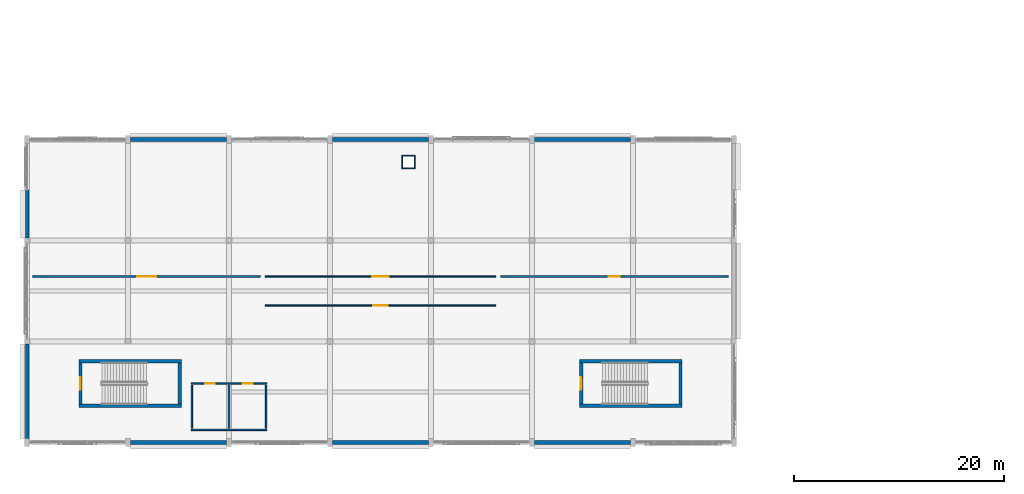
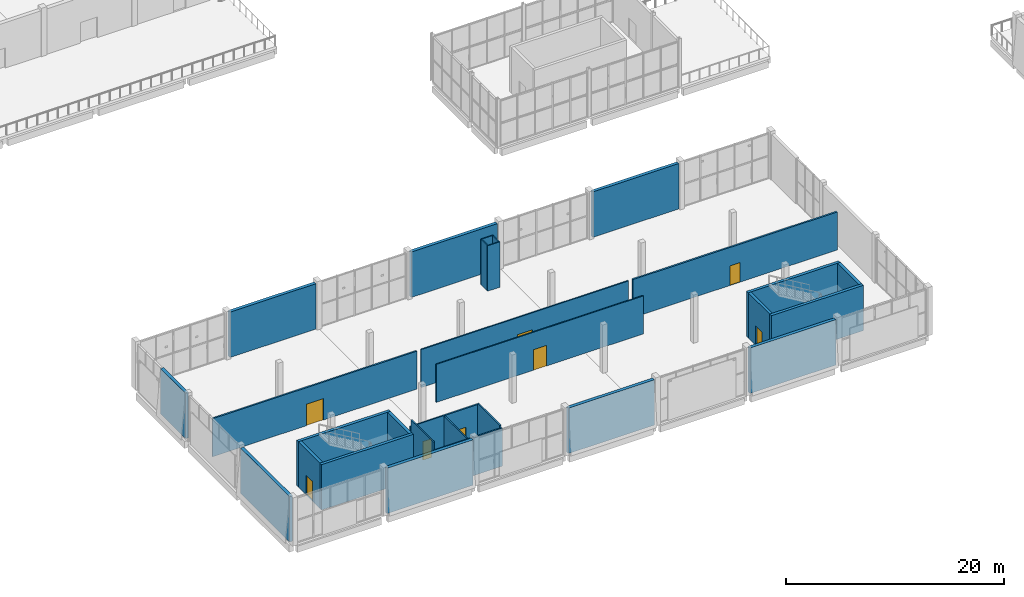
# One storey, part 53 of 83: 29 walls, 8 doors, 8 openings.
"""IFC4 building model written with IfcOpenShell, lengths in metres."""

import ifcopenshell
import ifcopenshell.guid

model = None  # the IFC model being written
_history = None  # IfcOwnerHistory: only IFC2X3 demands one
_inside = {}  # id of a spatial element -> (the spatial element, [elements in it])
_under = {}  # id of a project, library or spatial element -> (it, [spatial elements below it])
_declared = {}  # id of a project -> (the project, [libraries it declares])
_typed = {}  # id of a type object -> (the type object, [elements of that type])
_made_of = {}  # id of a material, layer set ... -> (it, [elements and type objects made of it])


def new_model(schema):
    """Start an empty IFC model of exactly this schema.

    Asked for "IFC4X3", IfcOpenShell would pick the latest addendum, in which some entities
    have other attributes; the version numbers below select the first issue.
    IFC2X3 requires an IfcOwnerHistory on every rooted entity: one is made here for all.
    """
    global model, _history
    if schema == "IFC4X3":
        model = ifcopenshell.file(schema_version=(4, 3, 0, 0))
    else:
        model = ifcopenshell.file(schema=schema)
    _inside.clear()
    _under.clear()
    _declared.clear()
    _typed.clear()
    _made_of.clear()
    _history = None
    if model.schema == "IFC2X3":
        org = make("IfcOrganization", Name="unknown")
        user = make(
            "IfcPersonAndOrganization",
            ThePerson=make("IfcPerson", FamilyName="unknown"),
            TheOrganization=org,
        )
        app = make(
            "IfcApplication",
            ApplicationDeveloper=org,
            Version="unknown",
            ApplicationFullName="unknown",
            ApplicationIdentifier="unknown",
        )
        _history = make(
            "IfcOwnerHistory",
            OwningUser=user,
            OwningApplication=app,
            ChangeAction="ADDED",
            CreationDate=0,
        )
    return model


def make(cls, **values):
    """One entity of the class cls with the attributes given. An attribute that is None is left unset."""
    return model.create_entity(
        cls, **{name: value for name, value in values.items() if value is not None}
    )


def rooted(cls, **values):
    """An entity with a GlobalId (a new one), such as an element, a storey or a relation."""
    return make(cls, GlobalId=ifcopenshell.guid.new(), OwnerHistory=_history, **values)


def si_unit(unit_type, name, prefix=None):
    """IfcSIUnit, for example si_unit("LENGTHUNIT", "METRE", prefix="MILLI")."""
    return make("IfcSIUnit", UnitType=unit_type, Prefix=prefix, Name=name)


def assignment(units):
    """IfcUnitAssignment: the units of a project."""
    return None if units is None else make("IfcUnitAssignment", Units=units)


def point(xyz):
    """IfcCartesianPoint."""
    return None if xyz is None else make("IfcCartesianPoint", Coordinates=xyz)


def direction(xyz):
    """IfcDirection."""
    return None if xyz is None else make("IfcDirection", DirectionRatios=xyz)


def frame(location, z_axis=None, x_axis=None):
    """IfcAxis2Placement3D, a coordinate frame: its origin and axes. An axis left out is left unset."""
    return make(
        "IfcAxis2Placement3D",
        Location=point(location),
        Axis=direction(z_axis),
        RefDirection=direction(x_axis),
    )


def frame_2d(location, x_axis=None):
    """IfcAxis2Placement2D, a coordinate frame in the plane: its origin and x axis."""
    return make(
        "IfcAxis2Placement2D", Location=point(location), RefDirection=direction(x_axis)
    )


def origin():
    """The frame at (0, 0, 0) with its axes left unset."""
    return frame((0.0, 0.0, 0.0))


def place(relative_to, where):
    """IfcLocalPlacement: puts the frame where relative to a parent placement (None: the world)."""
    return make(
        "IfcLocalPlacement", PlacementRelTo=relative_to, RelativePlacement=where
    )


def context(
    kind, dimensions, precision=None, world=None, true_north=None, identifier=None
):
    """IfcGeometricRepresentationContext, for example the 3D "Model" context."""
    return make(
        "IfcGeometricRepresentationContext",
        ContextIdentifier=identifier,
        ContextType=kind,
        CoordinateSpaceDimension=dimensions,
        Precision=precision,
        WorldCoordinateSystem=world,
        TrueNorth=true_north,
    )


def subcontext(parent, identifier, kind, view, scale=None):
    """IfcGeometricRepresentationSubContext, for example "Body" below "Model"."""
    return make(
        "IfcGeometricRepresentationSubContext",
        ContextIdentifier=identifier,
        ContextType=kind,
        ParentContext=parent,
        TargetScale=scale,
        TargetView=view,
    )


def project(units=None, contexts=None):
    """IfcProject with its units and contexts."""
    return rooted(
        "IfcProject",
        Name="project",
        RepresentationContexts=contexts,
        UnitsInContext=assignment(units),
    )


def spatial(cls, under=None, at=None, **own):
    """A site, building, storey or space (cls), placed at a placement, below another one or the project."""
    s = rooted(cls, ObjectPlacement=at, **own)
    if under is not None:
        _under.setdefault(under.id(), (under, []))[1].append(s)
    return s


def profile(cls, at=None, kind="AREA", **sizes):
    """A parametric profile (cls). Its sizes go by their IFC names, for example OverallWidth=200.0."""
    return make(cls, ProfileType=kind, Position=at, **sizes)


def rectangle(**sizes):
    """IfcRectangleProfileDef."""
    return profile("IfcRectangleProfileDef", **sizes)


def extrude(swept, where, along, depth):
    """IfcExtrudedAreaSolid: the profile swept, set in the frame where, extruded along a direction by depth."""
    return make(
        "IfcExtrudedAreaSolid",
        SweptArea=swept,
        Position=where,
        ExtrudedDirection=direction(along),
        Depth=depth,
    )


def shape(context_of_items, identifier, shape_type, items):
    """IfcShapeRepresentation: the items that make up one representation, for example the "Body"."""
    return make(
        "IfcShapeRepresentation",
        ContextOfItems=context_of_items,
        RepresentationIdentifier=identifier,
        RepresentationType=shape_type,
        Items=items,
    )


def material(Name=None, Category=None):
    """IfcMaterial."""
    return make("IfcMaterial", Name=Name, Category=Category)


def layer(
    of_material, thickness, ventilated=None, Name=None, Category=None, Priority=None
):
    """IfcMaterialLayer: one layer of a wall or slab, of a material (None: an air gap)."""
    return make(
        "IfcMaterialLayer",
        Material=of_material,
        LayerThickness=thickness,
        IsVentilated=ventilated,
        Name=Name,
        Category=Category,
        Priority=Priority,
    )


def layer_set(layers, Name=None):
    """IfcMaterialLayerSet."""
    return make("IfcMaterialLayerSet", MaterialLayers=layers, LayerSetName=Name)


def made_of(thing, what):
    """Note that an element or type object is made of a material, layer set ...; save() writes the relation."""
    if what is not None:
        _made_of.setdefault(what.id(), (what, []))[1].append(thing)
    return thing


def type_object(cls, material=None, **own):
    """A type object (cls), such as IfcWallType, which elements share."""
    return made_of(rooted(cls, **own), material)


def element(
    cls,
    number,
    at=None,
    inside=None,
    cuts=None,
    type_object=None,
    material=None,
    context=None,
    identifier="Body",
    shape_type=None,
    held_by="IfcProductDefinitionShape",
    body=None,
    shapes=None,
    **own,
):
    """One element of the class cls, such as IfcWall. Its Tag is "e" and its number.

    at: its placement. inside: the storey or other place that contains it. cuts: it is an
    opening in that element (IfcRelVoidsElement). A single representation is given by context,
    identifier, shape_type and body (its items); several are given by shapes. held_by: the class
    of the entity that holds the representations. save() writes the other relations.
    """
    e = rooted(cls, Tag="e%d" % number, ObjectPlacement=at, **own)
    if body is not None:
        shapes = [shape(context, identifier, shape_type, body)]
    if shapes is not None:
        e.Representation = make(held_by, Representations=shapes)
    if inside is not None:
        _inside.setdefault(inside.id(), (inside, []))[1].append(e)
    if cuts is not None:
        rooted(
            "IfcRelVoidsElement", RelatingBuildingElement=cuts, RelatedOpeningElement=e
        )
    if type_object is not None:
        _typed.setdefault(type_object.id(), (type_object, []))[1].append(e)
    return made_of(e, material)


def fill(opening, filler):
    """IfcRelFillsElement: the door or window that sits in an opening."""
    return rooted(
        "IfcRelFillsElement",
        RelatingOpeningElement=opening,
        RelatedBuildingElement=filler,
    )


def aggregate(whole, parts):
    """IfcRelAggregates: a whole, such as a stair, and the parts it consists of."""
    return rooted("IfcRelAggregates", RelatingObject=whole, RelatedObjects=parts)


def save(model, path):
    """Write the relations noted so far, then the file.

    IfcRelAggregates (storeys below a building ...), IfcRelContainedInSpatialStructure (elements
    in a storey), IfcRelDefinesByType, IfcRelAssociatesMaterial and IfcRelDeclares: one each for
    every whole, place, type object, material and project.
    """
    for whole, parts in _under.values():
        aggregate(whole, parts)
    for where, things in _inside.values():
        rooted(
            "IfcRelContainedInSpatialStructure",
            RelatedElements=things,
            RelatingStructure=where,
        )
    for kind, things in _typed.values():
        rooted("IfcRelDefinesByType", RelatedObjects=things, RelatingType=kind)
    for what, things in _made_of.values():
        rooted("IfcRelAssociatesMaterial", RelatedObjects=things, RelatingMaterial=what)
    for by, libraries in _declared.values():
        rooted("IfcRelDeclares", RelatingContext=by, RelatedDefinitions=libraries)
    model.write(path)


model = new_model("IFC4")

# Units and contexts
model_context = context("Model", 3, precision=1e-05, world=origin(), true_north=direction((0.0, 1.0)))
body_context = subcontext(model_context, "Body", "Model", "MODEL_VIEW")
ifc_project = project(units=[si_unit("LENGTHUNIT", "METRE"), si_unit("AREAUNIT", "SQUARE_METRE"), si_unit("VOLUMEUNIT", "CUBIC_METRE"), si_unit("PLANEANGLEUNIT", "RADIAN"), si_unit("MASSUNIT", "GRAM", prefix="KILO")], contexts=[model_context])

# Site, building, storey
site_placement = place(None, origin())
site = spatial("IfcSite", under=ifc_project, at=site_placement, CompositionType="ELEMENT")
building_placement = place(site_placement, origin())
building = spatial("IfcBuilding", under=site, at=building_placement, Name="Shalvenor Court Art Gallery", CompositionType="ELEMENT")
storey_placement = place(building_placement, frame((0.0, 0.0, 6.0)))
storey = spatial("IfcBuildingStorey", under=building, at=storey_placement, Name="L01", CompositionType="ELEMENT", Elevation=6.0)

# Walls
ifc_material_1 = material(Name="Concrete C40/50", Category="concrete")
ifc_layer_1 = layer(ifc_material_1, 0.31005859375, Name="Concrete C40/50")
ifc_layer_set_1 = layer_set([ifc_layer_1], Name="Concrete C40/50")
wall_type_1 = type_object("IfcWallType", Name="CW-W2", PredefinedType="SHEAR", material=ifc_layer_set_1)
wall_1_placement = place(storey_placement, frame((4.927978515625, 7.717041015625, 0.0), z_axis=(0.0, 0.0, 1.0), x_axis=(1.0, 0.0, 0.0)))
element("IfcWall", 1, at=wall_1_placement, inside=storey, type_object=wall_type_1, Name="L01 C7 Stair Core Shear Wall N", PredefinedType="SHEAR", context=body_context, shape_type="SweptSolid", body=[
    extrude(rectangle(XDim=9.744140625, YDim=0.31005859375, at=frame_2d((4.8720703125, 0.0))), origin(), (0.0, 0.0, 1.0), 5.080078125),
])
wall_2_placement = place(storey_placement, frame((14.51708984375, 7.56201171875, 0.0), z_axis=(0.0, 0.0, 1.0), x_axis=(0.0, -1.0, 0.0)))
element("IfcWall", 2, at=wall_2_placement, inside=storey, type_object=wall_type_1, Name="L01 C7 Stair Core Shear Wall E", PredefinedType="SHEAR", context=body_context, shape_type="SweptSolid", body=[
    extrude(rectangle(XDim=3.924072265625, YDim=0.31005859375, at=frame_2d((1.9619140625, 0.0))), origin(), (0.0, 0.0, 1.0), 5.080078125),
])
wall_3_placement = place(storey_placement, frame((14.672119140625, 3.48291015625, 0.0), z_axis=(0.0, 0.0, 1.0), x_axis=(-1.0, 0.0, 0.0)))
element("IfcWall", 3, at=wall_3_placement, inside=storey, type_object=wall_type_1, Name="L01 C7 Stair Core Shear Wall S", PredefinedType="SHEAR", context=body_context, shape_type="SweptSolid", body=[
    extrude(rectangle(XDim=9.744140625, YDim=0.31005859375, at=frame_2d((4.8720703125, 0.0))), origin(), (0.0, 0.0, 1.0), 5.080078125),
])

# Wall, opening, door
wall_4_placement = place(storey_placement, frame((5.0830078125, 3.637939453125, 0.0), z_axis=(0.0, 0.0, 1.0), x_axis=(0.0, 1.0, 0.0)))
wall_4 = element("IfcWall", 4, at=wall_4_placement, inside=storey, type_object=wall_type_1, Name="L01 C7 Stair Core Shear Wall W", PredefinedType="SHEAR", context=body_context, shape_type="SweptSolid", body=[
    extrude(rectangle(XDim=3.924072265625, YDim=0.31005859375, at=frame_2d((1.9619140625, 0.0))), origin(), (0.0, 0.0, 1.0), 5.080078125),
])
opening_1_placement = place(wall_4_placement, frame((1.362060546875, 0.0, 0.0)))
opening_1 = element("IfcOpeningElement", 5, at=opening_1_placement, cuts=wall_4, Name="Opening FD-01", PredefinedType="OPENING", context=body_context, shape_type="SweptSolid", body=[
    extrude(rectangle(XDim=1.199951171875, YDim=2.199951171875, at=frame_2d((0.60009765625, 1.10009765625))), frame((0.0, 0.1650390625, 0.0), z_axis=(0.0, -1.0, 0.0), x_axis=(1.0, 0.0, 0.0)), (0.0, 0.0, 1.0), 0.330078125),
])
ifc_material_2 = material(Name="Fire-rated steel stair doorset", Category="steel")
door_type_1 = type_object("IfcDoorType", Name="FD-01", OperationType="NOTDEFINED", PredefinedType="DOOR", material=ifc_material_2)
door_1_placement = place(opening_1_placement, origin())
door_1 = element("IfcDoor", 6, at=door_1_placement, inside=storey, type_object=door_type_1, Name="DR-ST-L01-C7 L01 ST-07 Fire Stair Door", OperationType="SINGLE_SWING_RIGHT", OverallHeight=2.199951171875, OverallWidth=1.199951171875, PredefinedType="DOOR", context=body_context, shape_type="SweptSolid", body=[
    extrude(rectangle(XDim=1.199951171875, YDim=2.199951171875, at=frame_2d((0.60009765625, 1.10009765625))), frame((0.0, 0.02490234375, 0.0), z_axis=(0.0, -1.0, 0.0), x_axis=(1.0, 0.0, 0.0)), (0.0, 0.0, 1.0), 0.050048828125),
])
fill(opening_1, door_1)

# Walls
wall_5_placement = place(storey_placement, frame((52.528076171875, 7.717041015625, 0.0), z_axis=(0.0, 0.0, 1.0), x_axis=(1.0, 0.0, 0.0)))
element("IfcWall", 7, at=wall_5_placement, inside=storey, type_object=wall_type_1, Name="L01 C8 Stair Core Shear Wall N", PredefinedType="SHEAR", context=body_context, shape_type="SweptSolid", body=[
    extrude(rectangle(XDim=9.743896484375, YDim=0.31005859375, at=frame_2d((4.8720703125, 0.0))), origin(), (0.0, 0.0, 1.0), 5.080078125),
])
wall_6_placement = place(storey_placement, frame((62.116943359375, 7.56201171875, 0.0), z_axis=(0.0, 0.0, 1.0), x_axis=(0.0, -1.0, 0.0)))
element("IfcWall", 8, at=wall_6_placement, inside=storey, type_object=wall_type_1, Name="L01 C8 Stair Core Shear Wall E", PredefinedType="SHEAR", context=body_context, shape_type="SweptSolid", body=[
    extrude(rectangle(XDim=3.924072265625, YDim=0.31005859375, at=frame_2d((1.9619140625, 0.0))), origin(), (0.0, 0.0, 1.0), 5.080078125),
])
wall_7_placement = place(storey_placement, frame((62.27197265625, 3.48291015625, 0.0), z_axis=(0.0, 0.0, 1.0), x_axis=(-1.0, 0.0, 0.0)))
element("IfcWall", 9, at=wall_7_placement, inside=storey, type_object=wall_type_1, Name="L01 C8 Stair Core Shear Wall S", PredefinedType="SHEAR", context=body_context, shape_type="SweptSolid", body=[
    extrude(rectangle(XDim=9.743896484375, YDim=0.31005859375, at=frame_2d((4.8720703125, 0.0))), origin(), (0.0, 0.0, 1.0), 5.080078125),
])

# Wall, opening, door
wall_8_placement = place(storey_placement, frame((52.68310546875, 3.637939453125, 0.0), z_axis=(0.0, 0.0, 1.0), x_axis=(0.0, 1.0, 0.0)))
wall_8 = element("IfcWall", 10, at=wall_8_placement, inside=storey, type_object=wall_type_1, Name="L01 C8 Stair Core Shear Wall W", PredefinedType="SHEAR", context=body_context, shape_type="SweptSolid", body=[
    extrude(rectangle(XDim=3.924072265625, YDim=0.31005859375, at=frame_2d((1.9619140625, 0.0))), origin(), (0.0, 0.0, 1.0), 5.080078125),
])
opening_2_placement = place(wall_8_placement, frame((1.362060546875, 0.0, 0.0)))
opening_2 = element("IfcOpeningElement", 11, at=opening_2_placement, cuts=wall_8, Name="Opening FD-01", PredefinedType="OPENING", context=body_context, shape_type="SweptSolid", body=[
    extrude(rectangle(XDim=1.199951171875, YDim=2.199951171875, at=frame_2d((0.60009765625, 1.10009765625))), frame((0.0, 0.1650390625, 0.0), z_axis=(0.0, -1.0, 0.0), x_axis=(1.0, 0.0, 0.0)), (0.0, 0.0, 1.0), 0.330078125),
])
door_2_placement = place(opening_2_placement, origin())
door_2 = element("IfcDoor", 12, at=door_2_placement, inside=storey, type_object=door_type_1, Name="DR-ST-L01-C8 L01 ST-08 Fire Stair Door", OperationType="SINGLE_SWING_RIGHT", OverallHeight=2.199951171875, OverallWidth=1.199951171875, PredefinedType="DOOR", context=body_context, shape_type="SweptSolid", body=[
    extrude(rectangle(XDim=1.199951171875, YDim=2.199951171875, at=frame_2d((0.60009765625, 1.10009765625))), frame((0.0, 0.02490234375, 0.0), z_axis=(0.0, -1.0, 0.0), x_axis=(1.0, 0.0, 0.0)), (0.0, 0.0, 1.0), 0.050048828125),
])
fill(opening_2, door_2)

# Walls
ifc_material_3 = material(Name="Concrete C40/50", Category="concrete")
ifc_layer_2 = layer(ifc_material_3, 0.340087890625, Name="Concrete C40/50")
ifc_layer_set_2 = layer_set([ifc_layer_2], Name="Concrete C40/50")
wall_type_2 = type_object("IfcWallType", Name="EW-04", PredefinedType="SOLIDWALL", material=ifc_layer_set_2)
for number, where, z_axis, x_axis, name in (
    (13, (9.85009765625, 28.800048828125, 0.0), (0.0, 0.0, 1.0), (1.0, 0.0, 0.0), "L01 V4 Exterior Wall WL-L01-0250"),
    (14, (29.050048828125, 28.800048828125, 0.0), (0.0, 0.0, 1.0), (1.0, 0.0, 0.0), "L01 V4 Exterior Wall WL-L01-0251"),
):
    element("IfcWall", number, at=place(storey_placement, frame(where, z_axis=z_axis, x_axis=x_axis)), inside=storey, type_object=wall_type_2, Name=name, PredefinedType="SOLIDWALL", context=body_context, shape_type="SweptSolid", body=[
        extrude(rectangle(XDim=9.099853515625, YDim=0.340087890625, at=frame_2d((4.5498046875, 0.0))), origin(), (0.0, 0.0, 1.0), 5.080078125),
    ])
for number, where, z_axis, x_axis, name in (
    (15, (48.25, 28.800048828125, 0.0), (0.0, 0.0, 1.0), (1.0, 0.0, 0.0), "L01 V4 Exterior Wall WL-L01-0252"),
    (16, (57.35009765625, 0.0, 0.0), (0.0, 0.0, 1.0), (-1.0, 0.0, 0.0), "L01 V4 Exterior Wall WL-L01-0255"),
):
    element("IfcWall", number, at=place(storey_placement, frame(where, z_axis=z_axis, x_axis=x_axis)), inside=storey, type_object=wall_type_2, Name=name, PredefinedType="SOLIDWALL", context=body_context, shape_type="SweptSolid", body=[
        extrude(rectangle(XDim=9.10009765625, YDim=0.340087890625, at=frame_2d((4.550048828125, 0.0))), origin(), (0.0, 0.0, 1.0), 5.080078125),
    ])
for number, where, z_axis, x_axis, name in (
    (17, (38.14990234375, 0.0, 0.0), (0.0, 0.0, 1.0), (-1.0, 0.0, 0.0), "L01 V4 Exterior Wall WL-L01-0256"),
    (18, (18.949951171875, 0.0, 0.0), (0.0, 0.0, 1.0), (-1.0, 0.0, 0.0), "L01 V4 Exterior Wall WL-L01-0257"),
):
    element("IfcWall", number, at=place(storey_placement, frame(where, z_axis=z_axis, x_axis=x_axis)), inside=storey, type_object=wall_type_2, Name=name, PredefinedType="SOLIDWALL", context=body_context, shape_type="SweptSolid", body=[
        extrude(rectangle(XDim=9.099853515625, YDim=0.340087890625, at=frame_2d((4.5498046875, 0.0))), origin(), (0.0, 0.0, 1.0), 5.080078125),
    ])
wall_9_placement = place(storey_placement, frame((0.0, 0.375, 0.0), z_axis=(0.0, 0.0, 1.0), x_axis=(0.0, 1.0, 0.0)))
element("IfcWall", 19, at=wall_9_placement, inside=storey, type_object=wall_type_2, Name="L01 V4 Exterior Wall WL-L01-0258", PredefinedType="SOLIDWALL", context=body_context, shape_type="SweptSolid", body=[
    extrude(rectangle(XDim=8.97509765625, YDim=0.340087890625, at=frame_2d((4.487548828125, 0.0))), origin(), (0.0, 0.0, 1.0), 5.080078125),
])
wall_10_placement = place(storey_placement, frame((0.0, 19.449951171875, 0.0), z_axis=(0.0, 0.0, 1.0), x_axis=(0.0, 1.0, 0.0)))
element("IfcWall", 20, at=wall_10_placement, inside=storey, type_object=wall_type_2, Name="L01 V4 Exterior Wall WL-L01-0259", PredefinedType="SOLIDWALL", context=body_context, shape_type="SweptSolid", body=[
    extrude(rectangle(XDim=4.550048828125, YDim=0.340087890625, at=frame_2d((2.27490234375, 0.0))), origin(), (0.0, 0.0, 1.0), 5.080078125),
])

# Wall, opening, door
ifc_material_4 = material(Name="Plywood-backed acoustic art-hanging partition", Category="wood")
ifc_layer_3 = layer(ifc_material_4, 0.179931640625, Name="Plywood-backed acoustic art-hanging partition")
ifc_layer_set_3 = layer_set([ifc_layer_3], Name="Plywood-backed acoustic art-hanging partition")
wall_type_3 = type_object("IfcWallType", Name="PT-01", PredefinedType="PARTITIONING", material=ifc_layer_set_3)
wall_11_placement = place(storey_placement, frame((66.64990234375, 15.780029296875, 0.0), z_axis=(0.0, 0.0, 1.0), x_axis=(-1.0, 0.0, 0.0)))
wall_11 = element("IfcWall", 21, at=wall_11_placement, inside=storey, type_object=wall_type_3, Name="L01 Exhibition Prep Workshop Partition 633", PredefinedType="PARTITIONING", context=body_context, shape_type="SweptSolid", body=[
    extrude(rectangle(XDim=21.619873046875, YDim=0.179931640625, at=frame_2d((10.81005859375, 0.0))), origin(), (0.0, 0.0, 1.0), 4.2548828125),
])
opening_3_placement = place(wall_11_placement, frame((10.284912109375, 0.0, 0.0)))
opening_3 = element("IfcOpeningElement", 22, at=opening_3_placement, cuts=wall_11, Name="Opening ID-04", PredefinedType="OPENING", context=body_context, shape_type="SweptSolid", body=[
    extrude(rectangle(XDim=1.050048828125, YDim=2.199951171875, at=frame_2d((0.52490234375, 1.10009765625))), frame((0.0, 0.099853515625, 0.0), z_axis=(0.0, -1.0, 0.0), x_axis=(1.0, 0.0, 0.0)), (0.0, 0.0, 1.0), 0.199951171875),
])
ifc_material_5 = material(Name="Oak-veneered accessible room doorset", Category="wood")
door_type_2 = type_object("IfcDoorType", Name="ID-04", OperationType="NOTDEFINED", PredefinedType="DOOR", material=ifc_material_5)
door_3_placement = place(opening_3_placement, origin())
door_3 = element("IfcDoor", 23, at=door_3_placement, inside=storey, type_object=door_type_2, Name="DR-RM-L01-0164 L01 Exhibition Prep Workshop Door", OperationType="SINGLE_SWING_LEFT", OverallHeight=2.199951171875, OverallWidth=1.050048828125, PredefinedType="DOOR", context=body_context, shape_type="SweptSolid", body=[
    extrude(rectangle(XDim=1.050048828125, YDim=2.199951171875, at=frame_2d((0.52490234375, 1.10009765625))), frame((0.0, 0.02490234375, 0.0), z_axis=(0.0, -1.0, 0.0), x_axis=(1.0, 0.0, 0.0)), (0.0, 0.0, 1.0), 0.050048828125),
])
fill(opening_3, door_3)

ifc_material_6 = material(Name="Double-stud acoustic gallery partition", Category="other")
ifc_layer_4 = layer(ifc_material_6, 0.1650390625, Name="Double-stud acoustic gallery partition")
ifc_layer_set_4 = layer_set([ifc_layer_4], Name="Double-stud acoustic gallery partition")
wall_type_4 = type_object("IfcWallType", Name="PT-02", PredefinedType="PARTITIONING", material=ifc_layer_set_4)
wall_12_placement = place(storey_placement, frame((22.169921875, 15.780029296875, 0.0), z_axis=(0.0, 0.0, 1.0), x_axis=(-1.0, 0.0, 0.0)))
wall_12 = element("IfcWall", 24, at=wall_12_placement, inside=storey, type_object=wall_type_4, Name="L01 Temporary Exhibition Pavilion Partition 630", PredefinedType="PARTITIONING", context=body_context, shape_type="SweptSolid", body=[
    extrude(rectangle(XDim=21.619873046875, YDim=0.1650390625, at=frame_2d((10.81005859375, 0.0))), origin(), (0.0, 0.0, 1.0), 4.2548828125),
])
opening_4_placement = place(wall_12_placement, frame((9.909912109375, 0.0, 0.0)))
opening_4 = element("IfcOpeningElement", 25, at=opening_4_placement, cuts=wall_12, Name="Opening ID-01", PredefinedType="OPENING", context=body_context, shape_type="SweptSolid", body=[
    extrude(rectangle(XDim=1.800048828125, YDim=2.39990234375, at=frame_2d((0.89990234375, 1.199951171875))), frame((0.0, 0.092529296875, 0.0), z_axis=(0.0, -1.0, 0.0), x_axis=(1.0, 0.0, 0.0)), (0.0, 0.0, 1.0), 0.18505859375),
])
ifc_material_7 = material(Name="Oak-veneered acoustic gallery double doorset", Category="wood")
door_type_3 = type_object("IfcDoorType", Name="ID-01", OperationType="NOTDEFINED", PredefinedType="DOOR", material=ifc_material_7)
door_4_placement = place(opening_4_placement, origin())
door_4 = element("IfcDoor", 26, at=door_4_placement, inside=storey, type_object=door_type_3, Name="DR-RM-L01-0161 L01 Temporary Exhibition Pavilion Door", OperationType="DOUBLE_DOOR_SINGLE_SWING", OverallHeight=2.39990234375, OverallWidth=1.800048828125, PredefinedType="DOOR", context=body_context, shape_type="SweptSolid", body=[
    extrude(rectangle(XDim=1.800048828125, YDim=2.39990234375, at=frame_2d((0.89990234375, 1.199951171875))), frame((0.0, 0.02490234375, 0.0), z_axis=(0.0, -1.0, 0.0), x_axis=(1.0, 0.0, 0.0)), (0.0, 0.0, 1.0), 0.050048828125),
])
fill(opening_4, door_4)

# Wall, openings, doors
ifc_material_8 = material(Name="Moisture-resistant sanitary partition", Category="other")
ifc_layer_5 = layer(ifc_material_8, 0.14990234375, Name="Moisture-resistant sanitary partition")
ifc_layer_set_5 = layer_set([ifc_layer_5], Name="Moisture-resistant sanitary partition")
wall_type_5 = type_object("IfcWallType", Name="PT-03", PredefinedType="PARTITIONING", material=ifc_layer_set_5)
wall_13_placement = place(storey_placement, frame((15.60009765625, 5.60009765625, 0.0), z_axis=(0.0, 0.0, 1.0), x_axis=(1.0, 0.0, 0.0)))
wall_13 = element("IfcWall", 27, at=wall_13_placement, inside=storey, type_object=wall_type_5, Name="L01 C7 Restroom Front Partition", PredefinedType="PARTITIONING", context=body_context, shape_type="SweptSolid", body=[
    extrude(rectangle(XDim=7.199951171875, YDim=0.14990234375, at=frame_2d((3.60009765625, 0.0))), origin(), (0.0, 0.0, 1.0), 4.2548828125),
])
opening_5_placement = place(wall_13_placement, frame((1.35009765625, 0.0, 0.0)))
opening_5 = element("IfcOpeningElement", 28, at=opening_5_placement, cuts=wall_13, Name="Opening ID-07", PredefinedType="OPENING", context=body_context, shape_type="SweptSolid", body=[
    extrude(rectangle(XDim=0.89990234375, YDim=2.10009765625, at=frame_2d((0.449951171875, 1.050048828125))), frame((0.0, 0.0849609375, 0.0), z_axis=(0.0, -1.0, 0.0), x_axis=(1.0, 0.0, 0.0)), (0.0, 0.0, 1.0), 0.169921875),
])
opening_6_placement = place(wall_13_placement, frame((4.925048828125, 0.0, 0.0)))
opening_6 = element("IfcOpeningElement", 29, at=opening_6_placement, cuts=wall_13, Name="Opening ID-06", PredefinedType="OPENING", context=body_context, shape_type="SweptSolid", body=[
    extrude(rectangle(XDim=0.949951171875, YDim=2.14990234375, at=frame_2d((0.47509765625, 1.074951171875))), frame((0.0, 0.0849609375, 0.0), z_axis=(0.0, -1.0, 0.0), x_axis=(1.0, 0.0, 0.0)), (0.0, 0.0, 1.0), 0.169921875),
])
ifc_material_9 = material(Name="Accessible restroom doorset", Category="steel")
door_type_4 = type_object("IfcDoorType", Name="ID-06", OperationType="NOTDEFINED", PredefinedType="DOOR", material=ifc_material_9)
door_5_placement = place(opening_6_placement, origin())
door_5 = element("IfcDoor", 30, at=door_5_placement, inside=storey, type_object=door_type_4, Name="DR-AWC-L01-C7-2 L01 C7 Accessible Restroom Door", OperationType="SINGLE_SWING_RIGHT", OverallHeight=2.14990234375, OverallWidth=0.949951171875, PredefinedType="DOOR", context=body_context, shape_type="SweptSolid", body=[
    extrude(rectangle(XDim=0.949951171875, YDim=2.14990234375, at=frame_2d((0.47509765625, 1.074951171875))), frame((0.0, 0.02490234375, 0.0), z_axis=(0.0, -1.0, 0.0), x_axis=(1.0, 0.0, 0.0)), (0.0, 0.0, 1.0), 0.050048828125),
])
fill(opening_6, door_5)
ifc_material_10 = material(Name="Restroom timber doorset", Category="wood")
door_type_5 = type_object("IfcDoorType", Name="ID-07", OperationType="NOTDEFINED", PredefinedType="DOOR", material=ifc_material_10)
door_6_placement = place(opening_5_placement, origin())
door_6 = element("IfcDoor", 31, at=door_6_placement, inside=storey, type_object=door_type_5, Name="DR-WC-L01-C7-1 L01 C7 Public Restroom Door", OperationType="SINGLE_SWING_LEFT", OverallHeight=2.10009765625, OverallWidth=0.89990234375, PredefinedType="DOOR", context=body_context, shape_type="SweptSolid", body=[
    extrude(rectangle(XDim=0.89990234375, YDim=2.10009765625, at=frame_2d((0.449951171875, 1.050048828125))), frame((0.0, 0.02490234375, 0.0), z_axis=(0.0, -1.0, 0.0), x_axis=(1.0, 0.0, 0.0)), (0.0, 0.0, 1.0), 0.050048828125),
])
fill(opening_5, door_6)

# Walls
wall_14_placement = place(storey_placement, frame((15.60009765625, 1.199951171875, 0.0), z_axis=(0.0, 0.0, 1.0), x_axis=(1.0, 0.0, 0.0)))
element("IfcWall", 32, at=wall_14_placement, inside=storey, type_object=wall_type_5, Name="L01 C7 Restroom Back Partition", PredefinedType="PARTITIONING", context=body_context, shape_type="SweptSolid", body=[
    extrude(rectangle(XDim=7.199951171875, YDim=0.14990234375, at=frame_2d((3.60009765625, 0.0))), origin(), (0.0, 0.0, 1.0), 4.2548828125),
])
wall_15_placement = place(storey_placement, frame((15.675048828125, 1.360107421875, 0.0), z_axis=(0.0, 0.0, 1.0), x_axis=(0.0, 1.0, 0.0)))
element("IfcWall", 33, at=wall_15_placement, inside=storey, type_object=wall_type_5, Name="L01 C7 Restroom Partition L", PredefinedType="PARTITIONING", context=body_context, shape_type="SweptSolid", body=[
    extrude(rectangle(XDim=4.079833984375, YDim=0.14990234375, at=frame_2d((2.0400390625, 0.0))), origin(), (0.0, 0.0, 1.0), 5.080078125),
])
wall_16_placement = place(storey_placement, frame((19.199951171875, 1.360107421875, 0.0), z_axis=(0.0, 0.0, 1.0), x_axis=(0.0, 1.0, 0.0)))
element("IfcWall", 34, at=wall_16_placement, inside=storey, type_object=wall_type_5, Name="L01 C7 Restroom Partition M", PredefinedType="PARTITIONING", context=body_context, shape_type="SweptSolid", body=[
    extrude(rectangle(XDim=4.079833984375, YDim=0.14990234375, at=frame_2d((2.0400390625, 0.0))), origin(), (0.0, 0.0, 1.0), 4.2548828125),
])
wall_17_placement = place(storey_placement, frame((22.72509765625, 1.360107421875, 0.0), z_axis=(0.0, 0.0, 1.0), x_axis=(0.0, 1.0, 0.0)))
element("IfcWall", 35, at=wall_17_placement, inside=storey, type_object=wall_type_5, Name="L01 C7 Restroom Partition R", PredefinedType="PARTITIONING", context=body_context, shape_type="SweptSolid", body=[
    extrude(rectangle(XDim=4.079833984375, YDim=0.14990234375, at=frame_2d((2.0400390625, 0.0))), origin(), (0.0, 0.0, 1.0), 4.455078125),
])

# Wall, opening, door
ifc_material_11 = material(Name="Insulated studio acoustic partition", Category="other")
ifc_layer_6 = layer(ifc_material_11, 0.135009765625, Name="Insulated studio acoustic partition")
ifc_layer_set_6 = layer_set([ifc_layer_6], Name="Insulated studio acoustic partition")
wall_type_6 = type_object("IfcWallType", Name="PT-04", PredefinedType="PARTITIONING", material=ifc_layer_set_6)
wall_18_placement = place(storey_placement, frame((44.570068359375, 15.780029296875, 0.0), z_axis=(0.0, 0.0, 1.0), x_axis=(-1.0, 0.0, 0.0)))
wall_18 = element("IfcWall", 36, at=wall_18_placement, inside=storey, type_object=wall_type_6, Name="L01 Architecture And Design Gallery Partition 631", PredefinedType="PARTITIONING", context=body_context, shape_type="SweptSolid", body=[
    extrude(rectangle(XDim=21.940185546875, YDim=0.135009765625, at=frame_2d((10.97021484375, 0.0))), origin(), (0.0, 0.0, 1.0), 4.2548828125),
])
opening_7_placement = place(wall_18_placement, frame((10.169921875, 0.0, 0.0)))
opening_7 = element("IfcOpeningElement", 37, at=opening_7_placement, cuts=wall_18, Name="Opening ID-02", PredefinedType="OPENING", context=body_context, shape_type="SweptSolid", body=[
    extrude(rectangle(XDim=1.60009765625, YDim=2.35009765625, at=frame_2d((0.800048828125, 1.175048828125))), frame((0.0, 0.077392578125, 0.0), z_axis=(0.0, -1.0, 0.0), x_axis=(1.0, 0.0, 0.0)), (0.0, 0.0, 1.0), 0.155029296875),
])
ifc_material_12 = material(Name="Oak-veneered gallery double doorset", Category="wood")
door_type_6 = type_object("IfcDoorType", Name="ID-02", OperationType="NOTDEFINED", PredefinedType="DOOR", material=ifc_material_12)
door_7_placement = place(opening_7_placement, origin())
door_7 = element("IfcDoor", 38, at=door_7_placement, inside=storey, type_object=door_type_6, Name="DR-RM-L01-0162 L01 Architecture And Design Gallery Door", OperationType="DOUBLE_DOOR_SINGLE_SWING", OverallHeight=2.35009765625, OverallWidth=1.60009765625, PredefinedType="DOOR", context=body_context, shape_type="SweptSolid", body=[
    extrude(rectangle(XDim=1.60009765625, YDim=2.35009765625, at=frame_2d((0.800048828125, 1.175048828125))), frame((0.0, 0.02490234375, 0.0), z_axis=(0.0, -1.0, 0.0), x_axis=(1.0, 0.0, 0.0)), (0.0, 0.0, 1.0), 0.050048828125),
])
fill(opening_7, door_7)

ifc_material_13 = material(Name="Lightweight office gypsum partition", Category="other")
ifc_layer_7 = layer(ifc_material_13, 0.1201171875, Name="Lightweight office gypsum partition")
ifc_layer_set_7 = layer_set([ifc_layer_7], Name="Lightweight office gypsum partition")
wall_type_7 = type_object("IfcWallType", Name="PT-05", PredefinedType="PARTITIONING", material=ifc_layer_set_7)
wall_19_placement = place(storey_placement, frame((22.6298828125, 13.02001953125, 0.0), z_axis=(0.0, 0.0, 1.0), x_axis=(1.0, 0.0, 0.0)))
wall_19 = element("IfcWall", 39, at=wall_19_placement, inside=storey, type_object=wall_type_7, Name="L01 Architecture And Design Gallery Wing B Partition 632", PredefinedType="PARTITIONING", context=body_context, shape_type="SweptSolid", body=[
    extrude(rectangle(XDim=21.940185546875, YDim=0.1201171875, at=frame_2d((10.97021484375, 0.0))), origin(), (0.0, 0.0, 1.0), 4.2548828125),
])
opening_8_placement = place(wall_19_placement, frame((10.27001953125, 0.0, 0.0)))
opening_8 = element("IfcOpeningElement", 40, at=opening_8_placement, cuts=wall_19, Name="Opening ID-03", PredefinedType="OPENING", context=body_context, shape_type="SweptSolid", body=[
    extrude(rectangle(XDim=1.39990234375, YDim=2.300048828125, at=frame_2d((0.699951171875, 1.14990234375))), frame((0.0, 0.070068359375, 0.0), z_axis=(0.0, -1.0, 0.0), x_axis=(1.0, 0.0, 0.0)), (0.0, 0.0, 1.0), 0.14013671875),
])
ifc_material_14 = material(Name="Timber studio double leaf doorset", Category="wood")
door_type_7 = type_object("IfcDoorType", Name="ID-03", OperationType="NOTDEFINED", PredefinedType="DOOR", material=ifc_material_14)
door_8_placement = place(opening_8_placement, origin())
door_8 = element("IfcDoor", 41, at=door_8_placement, inside=storey, type_object=door_type_7, Name="DR-RM-L01-0163 L01 Architecture And Design Gallery Wing B Door", OperationType="DOUBLE_DOOR_SINGLE_SWING", OverallHeight=2.300048828125, OverallWidth=1.39990234375, PredefinedType="DOOR", context=body_context, shape_type="SweptSolid", body=[
    extrude(rectangle(XDim=1.39990234375, YDim=2.300048828125, at=frame_2d((0.699951171875, 1.14990234375))), frame((0.0, 0.02490234375, 0.0), z_axis=(0.0, -1.0, 0.0), x_axis=(1.0, 0.0, 0.0)), (0.0, 0.0, 1.0), 0.050048828125),
])
fill(opening_8, door_8)

# Walls
ifc_material_15 = material(Name="Service riser shaft gypsum partition", Category="other")
ifc_layer_8 = layer(ifc_material_15, 0.10009765625, Name="Service riser shaft gypsum partition")
ifc_layer_set_8 = layer_set([ifc_layer_8], Name="Service riser shaft gypsum partition")
wall_type_8 = type_object("IfcWallType", Name="PT-06", PredefinedType="PARTITIONING", material=ifc_layer_set_8)
for number, where, z_axis, x_axis, name in (
    (42, (35.60009765625, 27.25, 0.0), (0.0, 0.0, 1.0), (1.0, 0.0, 0.0), "L01 Riser Shaft Wall 2.N"),
    (43, (36.89990234375, 26.050048828125, 0.0), (0.0, 0.0, 1.0), (-1.0, 0.0, 0.0), "L01 Riser Shaft Wall 2.S"),
):
    element("IfcWall", number, at=place(storey_placement, frame(where, z_axis=z_axis, x_axis=x_axis)), inside=storey, type_object=wall_type_8, Name=name, PredefinedType="PARTITIONING", context=body_context, shape_type="SweptSolid", body=[
        extrude(rectangle(XDim=1.2998046875, YDim=0.10009765625, at=frame_2d((0.64990234375, 0.0))), origin(), (0.0, 0.0, 1.0), 5.080078125),
    ])
for number, where, z_axis, x_axis, name in (
    (44, (35.64990234375, 26.10009765625, 0.0), (0.0, 0.0, 1.0), (0.0, 1.0, 0.0), "L01 Riser Shaft Wall 2.W"),
    (45, (36.85009765625, 27.199951171875, 0.0), (0.0, 0.0, 1.0), (0.0, -1.0, 0.0), "L01 Riser Shaft Wall 2.E"),
):
    element("IfcWall", number, at=place(storey_placement, frame(where, z_axis=z_axis, x_axis=x_axis)), inside=storey, type_object=wall_type_8, Name=name, PredefinedType="PARTITIONING", context=body_context, shape_type="SweptSolid", body=[
        extrude(rectangle(XDim=1.099853515625, YDim=0.10009765625, at=frame_2d((0.5498046875, 0.0))), origin(), (0.0, 0.0, 1.0), 5.080078125),
    ])

save(model, "model.ifc")
